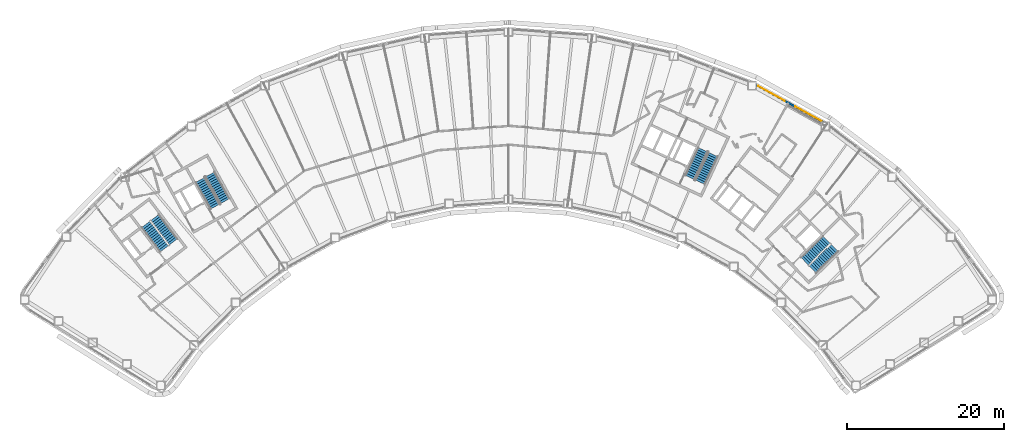
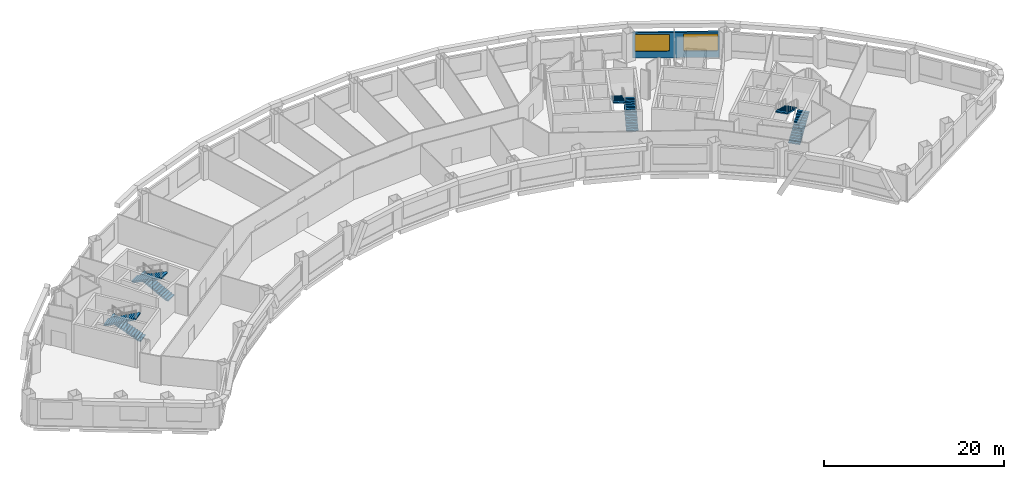
# One storey, part 9 of 11: 8 stair flights, 2 windows, 1 wall, 2 openings, 4 elements without a shape of their own.
"""IFC4 building model written with IfcOpenShell, lengths in metres."""

from ifc_helpers import new_model, si_unit, direction, frame, frame_2d, origin, place, context, subcontext, project, spatial, polyline, rectangle, outline, extrude, material, layer, layer_set, type_object, element, fill, aggregate, save


model = new_model("IFC4")

# Units and contexts
model_context = context("Model", 3, precision=1e-05, world=origin(), true_north=direction((0.0, 1.0)))
body_context = subcontext(model_context, "Body", "Model", "MODEL_VIEW")
ifc_project = project(units=[si_unit("LENGTHUNIT", "METRE"), si_unit("AREAUNIT", "SQUARE_METRE"), si_unit("VOLUMEUNIT", "CUBIC_METRE"), si_unit("PLANEANGLEUNIT", "RADIAN"), si_unit("MASSUNIT", "GRAM", prefix="KILO")], contexts=[model_context])

# Site, building, storey
site_placement = place(None, origin())
site = spatial("IfcSite", under=ifc_project, at=site_placement, CompositionType="ELEMENT")
building_placement = place(site_placement, origin())
building = spatial("IfcBuilding", under=site, at=building_placement, Name="Tuul Gate Civic Tower", CompositionType="ELEMENT")
storey_placement = place(building_placement, frame((0.0, 0.0, 120.300048828125)))
storey = spatial("IfcBuildingStorey", under=building, at=storey_placement, Name="Level 27", CompositionType="ELEMENT", Elevation=120.300048828125)

# Wall, openings, windows
ifc_material_1 = material(Name="Precast concrete C40/50", Category="concrete")
ifc_layer = layer(ifc_material_1, 0.25)
ifc_layer_set = layer_set([ifc_layer], Name="Precast concrete C40/50")
wall_type = type_object("IfcWallType", Name="External wall", PredefinedType="STANDARD", material=ifc_layer_set)
wall_placement = place(storey_placement, frame((49.909912109375, 2.214111328125, 0.0), z_axis=(0.0, 0.0, 1.0), x_axis=(-0.874635083582, 0.484781879372, 0.0)))
wall = element("IfcWall", 1, at=wall_placement, inside=storey, type_object=wall_type, Name="External wall", PredefinedType="STANDARD", context=body_context, shape_type="SweptSolid", body=[
    extrude(rectangle(XDim=9.680419921875, YDim=0.25, at=frame_2d((4.84033203125, 0.0))), origin(), (0.0, 0.0, 1.0), 3.449951171875),
])
opening_1_placement = place(wall_placement, frame((0.180419921875, 0.0, 0.89990234375)))
opening_1 = element("IfcOpeningElement", 2, at=opening_1_placement, cuts=wall, Name="Opening W22", PredefinedType="OPENING", context=body_context, shape_type="SweptSolid", body=[
    extrude(rectangle(XDim=3.85009765625, YDim=2.300048828125, at=frame_2d((1.925048828125, 1.14990234375))), frame((0.0, 0.135009765625, 0.0), z_axis=(0.0, -1.0, 0.0), x_axis=(1.0, 0.0, 0.0)), (0.0, 0.0, 1.0), 0.27001953125),
])
opening_2_placement = place(wall_placement, frame((5.5517578125, 0.0, 0.89990234375)))
opening_2 = element("IfcOpeningElement", 3, at=opening_2_placement, cuts=wall, Name="Opening W22", PredefinedType="OPENING", context=body_context, shape_type="SweptSolid", body=[
    extrude(rectangle(XDim=3.85009765625, YDim=2.300048828125, at=frame_2d((1.925048828125, 1.14990234375))), frame((0.0, 0.135009765625, 0.0), z_axis=(0.0, -1.0, 0.0), x_axis=(1.0, 0.0, 0.0)), (0.0, 0.0, 1.0), 0.27001953125),
])
ifc_material_2 = material(Name="Glass", Category="glass")
window_type = type_object("IfcWindowType", Name="Window W22 3850 x 2300", PartitioningType="SINGLE_PANEL", PredefinedType="WINDOW", material=ifc_material_2)
window_1_placement = place(opening_1_placement, origin())
window_1 = element("IfcWindow", 4, at=window_1_placement, inside=storey, type_object=window_type, Name="Window", OverallHeight=2.300048828125, OverallWidth=3.85009765625, PartitioningType="SINGLE_PANEL", PredefinedType="WINDOW", context=body_context, shape_type="SweptSolid", body=[
    extrude(rectangle(XDim=3.85009765625, YDim=2.300048828125, at=frame_2d((1.925048828125, 1.14990234375))), frame((0.0, 0.030029296875, 0.0), z_axis=(0.0, -1.0, 0.0), x_axis=(1.0, 0.0, 0.0)), (0.0, 0.0, 1.0), 0.06005859375),
])
fill(opening_1, window_1)
window_2_placement = place(opening_2_placement, origin())
window_2 = element("IfcWindow", 5, at=window_2_placement, inside=storey, type_object=window_type, Name="Window", OverallHeight=2.300048828125, OverallWidth=3.85009765625, PartitioningType="SINGLE_PANEL", PredefinedType="WINDOW", context=body_context, shape_type="SweptSolid", body=[
    extrude(rectangle(XDim=3.85009765625, YDim=2.300048828125, at=frame_2d((1.925048828125, 1.14990234375))), frame((0.0, 0.030029296875, 0.0), z_axis=(0.0, -1.0, 0.0), x_axis=(1.0, 0.0, 0.0)), (0.0, 0.0, 1.0), 0.06005859375),
])
fill(opening_2, window_2)

# Stair, stair flights
ifc_material_3 = material(Name="Concrete C40/50", Category="concrete")
stair_type = type_object("IfcStairType", Name="Exit stair", PredefinedType="HALF_TURN_STAIR", material=ifc_material_3)
stair_1_placement = place(storey_placement, origin())
stair_1 = element("IfcStair", 6, at=stair_1_placement, inside=storey, type_object=stair_type, Name="Level 27 ST-1", PredefinedType="HALF_TURN_STAIR")
ifc_material_4 = material(Name="Concrete C40/50", Category="concrete")
stair_flight_type = type_object("IfcStairFlightType", Name="Exit stair flight", PredefinedType="STRAIGHT", material=ifc_material_4)
stair_flight_1_placement = place(storey_placement, frame((-32.875244140625, -13.066650390625, 0.0), z_axis=(0.0, 0.0, 1.0), x_axis=(-0.605764474941, 0.795644016442, 0.0)))
stair_flight_1 = element("IfcStairFlight", 7, at=stair_flight_1_placement, type_object=stair_flight_type, Name="ST-1 flight 1", NumberOfRisers=14, NumberOfTreads=13, PredefinedType="STRAIGHT", RiserHeight=0.15, TreadLength=0.3, context=body_context, shape_type="SweptSolid", body=[
    extrude(outline(polyline([(0.0, 0.0), (0.0, 0.14990234375), (0.300048828125, 0.14990234375), (0.300048828125, 0.300048828125), (0.60009765625, 0.300048828125), (0.60009765625, 0.449951171875), (0.89990234375, 0.449951171875), (0.89990234375, 0.60009765625), (1.199951171875, 0.60009765625), (1.199951171875, 0.75), (1.5, 0.75), (1.5, 0.89990234375), (1.800048828125, 0.89990234375), (1.800048828125, 1.050048828125), (2.10009765625, 1.050048828125), (2.10009765625, 1.199951171875), (2.39990234375, 1.199951171875), (2.39990234375, 1.35009765625), (2.699951171875, 1.35009765625), (2.699951171875, 1.5), (3.0, 1.5), (3.0, 1.64990234375), (3.300048828125, 1.64990234375), (3.300048828125, 1.800048828125), (3.60009765625, 1.800048828125), (3.60009765625, 1.949951171875), (3.89990234375, 1.949951171875), (3.89990234375, 2.10009765625), (3.89990234375, 1.782470703125), (0.335205078125, 0.0), (0.0, 0.0)])), frame((0.0, 0.675048828125, 0.0), z_axis=(0.0, -1.0, 0.0), x_axis=(1.0, 0.0, 0.0)), (0.0, 0.0, 1.0), 1.35009765625),
])
stair_flight_2_placement = place(storey_placement, frame((-36.391357421875, -10.842041015625, 2.099853515625), z_axis=(0.0, 0.0, 1.0), x_axis=(0.605764474941, -0.795644016442, 0.0)))
stair_flight_2 = element("IfcStairFlight", 8, at=stair_flight_2_placement, type_object=stair_flight_type, Name="ST-1 flight 2", NumberOfRisers=14, NumberOfTreads=13, PredefinedType="STRAIGHT", RiserHeight=0.15, TreadLength=0.3, context=body_context, shape_type="SweptSolid", body=[
    extrude(outline(polyline([(0.0, 0.0), (0.0, 0.14990234375), (0.300048828125, 0.14990234375), (0.300048828125, 0.300048828125), (0.60009765625, 0.300048828125), (0.60009765625, 0.449951171875), (0.89990234375, 0.449951171875), (0.89990234375, 0.60009765625), (1.199951171875, 0.60009765625), (1.199951171875, 0.75), (1.5, 0.75), (1.5, 0.89990234375), (1.800048828125, 0.89990234375), (1.800048828125, 1.050048828125), (2.10009765625, 1.050048828125), (2.10009765625, 1.199951171875), (2.39990234375, 1.199951171875), (2.39990234375, 1.35009765625), (2.699951171875, 1.35009765625), (2.699951171875, 1.5), (3.0, 1.5), (3.0, 1.64990234375), (3.300048828125, 1.64990234375), (3.300048828125, 1.800048828125), (3.60009765625, 1.800048828125), (3.60009765625, 1.949951171875), (3.89990234375, 1.949951171875), (3.89990234375, 2.10009765625), (3.89990234375, 1.782470703125), (0.335205078125, 0.0), (0.0, 0.0)])), frame((0.0, 0.675048828125, 0.0), z_axis=(0.0, -1.0, 0.0), x_axis=(1.0, 0.0, 0.0)), (0.0, 0.0, 1.0), 1.35009765625),
])
aggregate(stair_1, [stair_flight_1, stair_flight_2])

stair_2_placement = place(storey_placement, origin())
stair_2 = element("IfcStair", 9, at=stair_2_placement, inside=storey, type_object=stair_type, Name="Level 27 ST-2", PredefinedType="HALF_TURN_STAIR")
stair_flight_3_placement = place(storey_placement, frame((-26.29150390625, -7.87646484375, 0.0), z_axis=(0.0, 0.0, 1.0), x_axis=(-0.484761763766, 0.874646232708, 0.0)))
stair_flight_3 = element("IfcStairFlight", 10, at=stair_flight_3_placement, type_object=stair_flight_type, Name="ST-2 flight 1", NumberOfRisers=14, NumberOfTreads=13, PredefinedType="STRAIGHT", RiserHeight=0.15, TreadLength=0.3, context=body_context, shape_type="SweptSolid", body=[
    extrude(outline(polyline([(0.0, 0.0), (0.0, 0.14990234375), (0.300048828125, 0.14990234375), (0.300048828125, 0.300048828125), (0.60009765625, 0.300048828125), (0.60009765625, 0.449951171875), (0.89990234375, 0.449951171875), (0.89990234375, 0.60009765625), (1.199951171875, 0.60009765625), (1.199951171875, 0.75), (1.5, 0.75), (1.5, 0.89990234375), (1.800048828125, 0.89990234375), (1.800048828125, 1.050048828125), (2.10009765625, 1.050048828125), (2.10009765625, 1.199951171875), (2.39990234375, 1.199951171875), (2.39990234375, 1.35009765625), (2.699951171875, 1.35009765625), (2.699951171875, 1.5), (3.0, 1.5), (3.0, 1.64990234375), (3.300048828125, 1.64990234375), (3.300048828125, 1.800048828125), (3.60009765625, 1.800048828125), (3.60009765625, 1.949951171875), (3.89990234375, 1.949951171875), (3.89990234375, 2.10009765625), (3.89990234375, 1.782470703125), (0.335205078125, 0.0), (0.0, 0.0)])), frame((0.0, 0.675048828125, 0.0), z_axis=(0.0, -1.0, 0.0), x_axis=(1.0, 0.0, 0.0)), (0.0, 0.0, 1.0), 1.35009765625),
])
stair_flight_4_placement = place(storey_placement, frame((-29.450439453125, -5.168212890625, 2.099853515625), z_axis=(0.0, 0.0, 1.0), x_axis=(0.484761763766, -0.874646232708, 0.0)))
stair_flight_4 = element("IfcStairFlight", 11, at=stair_flight_4_placement, type_object=stair_flight_type, Name="ST-2 flight 2", NumberOfRisers=14, NumberOfTreads=13, PredefinedType="STRAIGHT", RiserHeight=0.15, TreadLength=0.3, context=body_context, shape_type="SweptSolid", body=[
    extrude(outline(polyline([(0.0, 0.0), (0.0, 0.14990234375), (0.300048828125, 0.14990234375), (0.300048828125, 0.300048828125), (0.60009765625, 0.300048828125), (0.60009765625, 0.449951171875), (0.89990234375, 0.449951171875), (0.89990234375, 0.60009765625), (1.199951171875, 0.60009765625), (1.199951171875, 0.75), (1.5, 0.75), (1.5, 0.89990234375), (1.800048828125, 0.89990234375), (1.800048828125, 1.050048828125), (2.10009765625, 1.050048828125), (2.10009765625, 1.199951171875), (2.39990234375, 1.199951171875), (2.39990234375, 1.35009765625), (2.699951171875, 1.35009765625), (2.699951171875, 1.5), (3.0, 1.5), (3.0, 1.64990234375), (3.300048828125, 1.64990234375), (3.300048828125, 1.800048828125), (3.60009765625, 1.800048828125), (3.60009765625, 1.949951171875), (3.89990234375, 1.949951171875), (3.89990234375, 2.10009765625), (3.89990234375, 1.782470703125), (0.335205078125, 0.0), (0.0, 0.0)])), frame((0.0, 0.675048828125, 0.0), z_axis=(0.0, -1.0, 0.0), x_axis=(1.0, 0.0, 0.0)), (0.0, 0.0, 1.0), 1.35009765625),
])
aggregate(stair_2, [stair_flight_3, stair_flight_4])

stair_3_placement = place(storey_placement, origin())
stair_3 = element("IfcStair", 12, at=stair_3_placement, inside=storey, type_object=stair_type, Name="Level 27 ST-3", PredefinedType="HALF_TURN_STAIR")
stair_flight_5_placement = place(storey_placement, frame((48.61376953125, -16.581787109375, 0.0), z_axis=(0.0, 0.0, 1.0), x_axis=(0.714127290059, 0.700015866672, 0.0)))
stair_flight_5 = element("IfcStairFlight", 13, at=stair_flight_5_placement, type_object=stair_flight_type, Name="ST-3 flight 1", NumberOfRisers=14, NumberOfTreads=13, PredefinedType="STRAIGHT", RiserHeight=0.15, TreadLength=0.3, context=body_context, shape_type="SweptSolid", body=[
    extrude(outline(polyline([(0.0, 0.0), (0.0, 0.14990234375), (0.300048828125, 0.14990234375), (0.300048828125, 0.300048828125), (0.60009765625, 0.300048828125), (0.60009765625, 0.449951171875), (0.89990234375, 0.449951171875), (0.89990234375, 0.60009765625), (1.199951171875, 0.60009765625), (1.199951171875, 0.75), (1.5, 0.75), (1.5, 0.89990234375), (1.800048828125, 0.89990234375), (1.800048828125, 1.050048828125), (2.10009765625, 1.050048828125), (2.10009765625, 1.199951171875), (2.39990234375, 1.199951171875), (2.39990234375, 1.35009765625), (2.699951171875, 1.35009765625), (2.699951171875, 1.5), (3.0, 1.5), (3.0, 1.64990234375), (3.300048828125, 1.64990234375), (3.300048828125, 1.800048828125), (3.60009765625, 1.800048828125), (3.60009765625, 1.949951171875), (3.89990234375, 1.949951171875), (3.89990234375, 2.10009765625), (3.89990234375, 1.782470703125), (0.335205078125, 0.0), (0.0, 0.0)])), frame((0.0, 0.675048828125, 0.0), z_axis=(0.0, -1.0, 0.0), x_axis=(1.0, 0.0, 0.0)), (0.0, 0.0, 1.0), 1.35009765625),
])
stair_flight_6_placement = place(storey_placement, frame((50.3837890625, -12.816162109375, 2.099853515625), z_axis=(0.0, 0.0, 1.0), x_axis=(-0.714127290059, -0.700015866672, 0.0)))
stair_flight_6 = element("IfcStairFlight", 14, at=stair_flight_6_placement, type_object=stair_flight_type, Name="ST-3 flight 2", NumberOfRisers=14, NumberOfTreads=13, PredefinedType="STRAIGHT", RiserHeight=0.15, TreadLength=0.3, context=body_context, shape_type="SweptSolid", body=[
    extrude(outline(polyline([(0.0, 0.0), (0.0, 0.14990234375), (0.300048828125, 0.14990234375), (0.300048828125, 0.300048828125), (0.60009765625, 0.300048828125), (0.60009765625, 0.449951171875), (0.89990234375, 0.449951171875), (0.89990234375, 0.60009765625), (1.199951171875, 0.60009765625), (1.199951171875, 0.75), (1.5, 0.75), (1.5, 0.89990234375), (1.800048828125, 0.89990234375), (1.800048828125, 1.050048828125), (2.10009765625, 1.050048828125), (2.10009765625, 1.199951171875), (2.39990234375, 1.199951171875), (2.39990234375, 1.35009765625), (2.699951171875, 1.35009765625), (2.699951171875, 1.5), (3.0, 1.5), (3.0, 1.64990234375), (3.300048828125, 1.64990234375), (3.300048828125, 1.800048828125), (3.60009765625, 1.800048828125), (3.60009765625, 1.949951171875), (3.89990234375, 1.949951171875), (3.89990234375, 2.10009765625), (3.89990234375, 1.782470703125), (0.335205078125, 0.0), (0.0, 0.0)])), frame((0.0, 0.675048828125, 0.0), z_axis=(0.0, -1.0, 0.0), x_axis=(1.0, 0.0, 0.0)), (0.0, 0.0, 1.0), 1.35009765625),
])
aggregate(stair_3, [stair_flight_5, stair_flight_6])

stair_4_placement = place(storey_placement, origin())
stair_4 = element("IfcStair", 15, at=stair_4_placement, inside=storey, type_object=stair_type, Name="Level 27 ST-4", PredefinedType="HALF_TURN_STAIR")
stair_flight_7_placement = place(storey_placement, frame((34.278564453125, -5.478515625, 0.0), z_axis=(0.0, 0.0, 1.0), x_axis=(0.422576295988, 0.906327354806, 0.0)))
stair_flight_7 = element("IfcStairFlight", 16, at=stair_flight_7_placement, type_object=stair_flight_type, Name="ST-4 flight 1", NumberOfRisers=14, NumberOfTreads=13, PredefinedType="STRAIGHT", RiserHeight=0.15, TreadLength=0.3, context=body_context, shape_type="SweptSolid", body=[
    extrude(outline(polyline([(0.0, 0.0), (0.0, 0.14990234375), (0.300048828125, 0.14990234375), (0.300048828125, 0.300048828125), (0.60009765625, 0.300048828125), (0.60009765625, 0.449951171875), (0.89990234375, 0.449951171875), (0.89990234375, 0.60009765625), (1.199951171875, 0.60009765625), (1.199951171875, 0.75), (1.5, 0.75), (1.5, 0.89990234375), (1.800048828125, 0.89990234375), (1.800048828125, 1.050048828125), (2.10009765625, 1.050048828125), (2.10009765625, 1.199951171875), (2.39990234375, 1.199951171875), (2.39990234375, 1.35009765625), (2.699951171875, 1.35009765625), (2.699951171875, 1.5), (3.0, 1.5), (3.0, 1.64990234375), (3.300048828125, 1.64990234375), (3.300048828125, 1.800048828125), (3.60009765625, 1.800048828125), (3.60009765625, 1.949951171875), (3.89990234375, 1.949951171875), (3.89990234375, 2.10009765625), (3.89990234375, 1.782470703125), (0.335205078125, 0.0), (0.0, 0.0)])), frame((0.0, 0.675048828125, 0.0), z_axis=(0.0, -1.0, 0.0), x_axis=(1.0, 0.0, 0.0)), (0.0, 0.0, 1.0), 1.35009765625),
])
stair_flight_8_placement = place(storey_placement, frame((34.612548828125, -1.3310546875, 2.099853515625), z_axis=(0.0, 0.0, 1.0), x_axis=(-0.422576295988, -0.906327354806, 0.0)))
stair_flight_8 = element("IfcStairFlight", 17, at=stair_flight_8_placement, type_object=stair_flight_type, Name="ST-4 flight 2", NumberOfRisers=14, NumberOfTreads=13, PredefinedType="STRAIGHT", RiserHeight=0.15, TreadLength=0.3, context=body_context, shape_type="SweptSolid", body=[
    extrude(outline(polyline([(0.0, 0.0), (0.0, 0.14990234375), (0.300048828125, 0.14990234375), (0.300048828125, 0.300048828125), (0.60009765625, 0.300048828125), (0.60009765625, 0.449951171875), (0.89990234375, 0.449951171875), (0.89990234375, 0.60009765625), (1.199951171875, 0.60009765625), (1.199951171875, 0.75), (1.5, 0.75), (1.5, 0.89990234375), (1.800048828125, 0.89990234375), (1.800048828125, 1.050048828125), (2.10009765625, 1.050048828125), (2.10009765625, 1.199951171875), (2.39990234375, 1.199951171875), (2.39990234375, 1.35009765625), (2.699951171875, 1.35009765625), (2.699951171875, 1.5), (3.0, 1.5), (3.0, 1.64990234375), (3.300048828125, 1.64990234375), (3.300048828125, 1.800048828125), (3.60009765625, 1.800048828125), (3.60009765625, 1.949951171875), (3.89990234375, 1.949951171875), (3.89990234375, 2.10009765625), (3.89990234375, 1.782470703125), (0.335205078125, 0.0), (0.0, 0.0)])), frame((0.0, 0.675048828125, 0.0), z_axis=(0.0, -1.0, 0.0), x_axis=(1.0, 0.0, 0.0)), (0.0, 0.0, 1.0), 1.35009765625),
])
aggregate(stair_4, [stair_flight_7, stair_flight_8])

save(model, "model.ifc")
